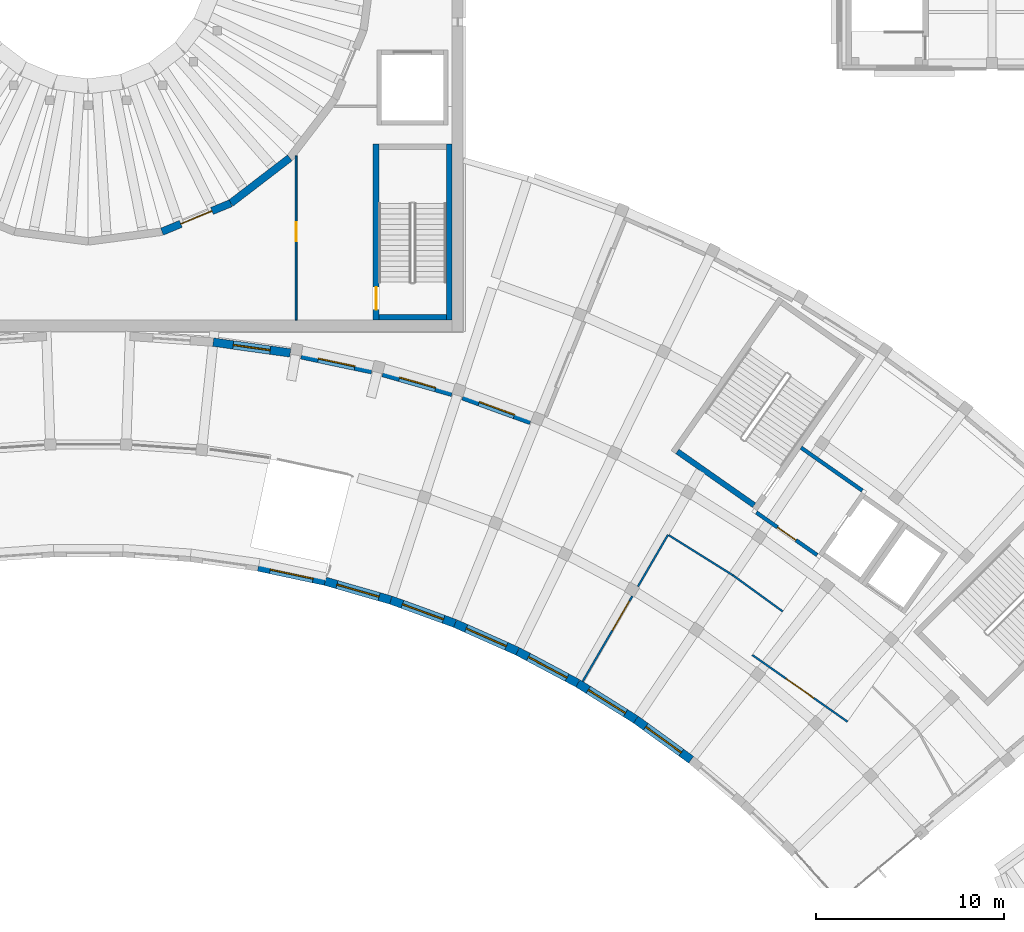
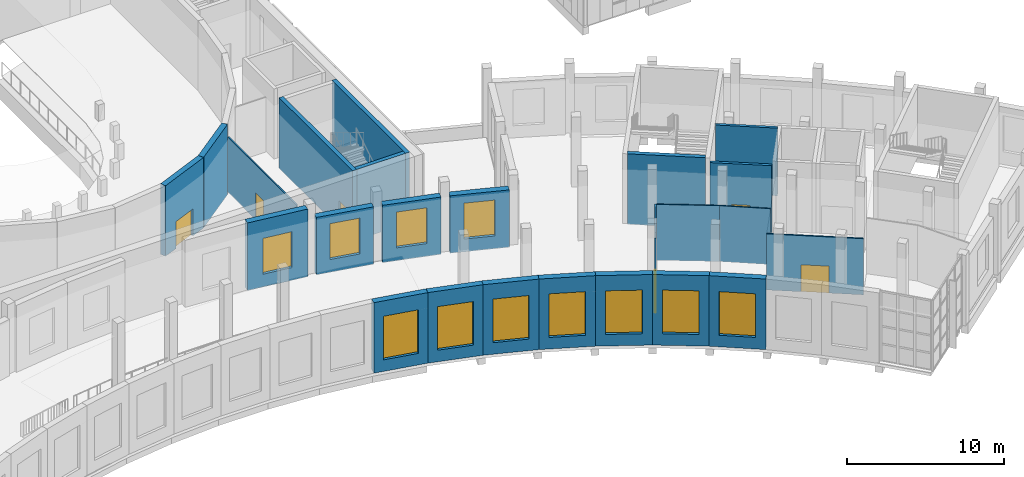
# One storey, part 71 of 132: 25 walls, 11 windows, 6 doors, 17 openings.
"""IFC4 building model written with IfcOpenShell, lengths in metres."""

from ifc_helpers import new_model, si_unit, direction, frame, frame_2d, origin, place, context, subcontext, project, spatial, rectangle, extrude, material, layer, layer_set, type_object, element, fill, save


model = new_model("IFC4")

# Units and contexts
model_context = context("Model", 3, precision=1e-05, world=origin(), true_north=direction((0.0, 1.0)))
body_context = subcontext(model_context, "Body", "Model", "MODEL_VIEW")
ifc_project = project(units=[si_unit("LENGTHUNIT", "METRE"), si_unit("AREAUNIT", "SQUARE_METRE"), si_unit("VOLUMEUNIT", "CUBIC_METRE"), si_unit("PLANEANGLEUNIT", "RADIAN"), si_unit("MASSUNIT", "GRAM", prefix="KILO")], contexts=[model_context])

# Site, building, storey
site_placement = place(None, origin())
site = spatial("IfcSite", under=ifc_project, at=site_placement, CompositionType="ELEMENT")
building_placement = place(site_placement, origin())
building = spatial("IfcBuilding", under=site, at=building_placement, Name="Lunette Opera House", CompositionType="ELEMENT")
storey_placement = place(building_placement, frame((0.0, 0.0, 17.0)))
storey = spatial("IfcBuildingStorey", under=building, at=storey_placement, Name="L03", CompositionType="ELEMENT", Elevation=17.0)

# Wall, opening, window
ifc_material_1 = material(Name="Clinker brick", Category="masonry")
ifc_layer_1 = layer(ifc_material_1, 0.449951171875)
ifc_layer_set_1 = layer_set([ifc_layer_1], Name="Clinker brick")
wall_type_1 = type_object("IfcWallType", Name="ARM REAR WALL 450", PredefinedType="SOLIDWALL", material=ifc_layer_set_1)
wall_1_placement = place(storey_placement, frame((119.60595703125, 59.235107421875, 0.0), z_axis=(0.0, 0.0, 1.0), x_axis=(-0.939678490681, 0.342058962975, 0.0)))
wall_1 = element("IfcWall", 1, at=wall_1_placement, inside=storey, type_object=wall_type_1, Name="Arm Rear Wall 450 F06 L03", PredefinedType="SOLIDWALL", context=body_context, shape_type="SweptSolid", body=[
    extrude(rectangle(XDim=3.84716796875, YDim=0.449951171875, at=frame_2d((1.923583984375, 0.0))), origin(), (0.0, 0.0, 1.0), 4.47998046875),
])
opening_1_placement = place(wall_1_placement, frame((0.924072265625, 0.0, 1.0)))
opening_1 = element("IfcOpeningElement", 2, at=opening_1_placement, cuts=wall_1, Name="Opening FC-N2182", PredefinedType="OPENING", context=body_context, shape_type="SweptSolid", body=[
    extrude(rectangle(XDim=2.0, YDim=2.800048828125, at=frame_2d((1.0, 1.39990234375))), frame((0.0, 0.237060546875, 0.0), z_axis=(0.0, -1.0, 0.0), x_axis=(1.0, 0.0, 0.0)), (0.0, 0.0, 1.0), 0.473876953125),
])
ifc_material_2 = material(Name="Aluminium", Category="aluminium")
window_type_1 = type_object("IfcWindowType", Name="ARM WINDOW 2000 X 2800", PartitioningType="DOUBLE_PANEL_VERTICAL", PredefinedType="WINDOW", material=ifc_material_2)
window_1_placement = place(opening_1_placement, origin())
window_1 = element("IfcWindow", 3, at=window_1_placement, inside=storey, type_object=window_type_1, Name="Arm Window 2000 X 2800 F06 L03", OverallHeight=2.800048828125, OverallWidth=2.0, PartitioningType="DOUBLE_PANEL_VERTICAL", PredefinedType="WINDOW", context=body_context, shape_type="SweptSolid", body=[
    extrude(rectangle(XDim=2.0, YDim=2.800048828125, at=frame_2d((1.0, 1.39990234375))), frame((0.0, 0.030029296875, 0.0), z_axis=(0.0, -1.0, 0.0), x_axis=(1.0, 0.0, 0.0)), (0.0, 0.0, 1.0), 0.06005859375),
])
fill(opening_1, window_1)

wall_2_placement = place(storey_placement, frame((115.4169921875, 60.737060546875, 0.0), z_axis=(0.0, 0.0, 1.0), x_axis=(-0.961197514665, 0.275861084246, 0.0)))
wall_2 = element("IfcWall", 4, at=wall_2_placement, inside=storey, type_object=wall_type_1, Name="Arm Rear Wall 450 F07 L03", PredefinedType="SOLIDWALL", context=body_context, shape_type="SweptSolid", body=[
    extrude(rectangle(XDim=3.84619140625, YDim=0.449951171875, at=frame_2d((1.923095703125, 0.0))), origin(), (0.0, 0.0, 1.0), 4.47998046875),
])
opening_2_placement = place(wall_2_placement, frame((0.923095703125, 0.0, 1.0)))
opening_2 = element("IfcOpeningElement", 5, at=opening_2_placement, cuts=wall_2, Name="Opening FC-N2183", PredefinedType="OPENING", context=body_context, shape_type="SweptSolid", body=[
    extrude(rectangle(XDim=2.0, YDim=2.800048828125, at=frame_2d((1.0, 1.39990234375))), frame((0.0, 0.237060546875, 0.0), z_axis=(0.0, -1.0, 0.0), x_axis=(1.0, 0.0, 0.0)), (0.0, 0.0, 1.0), 0.473876953125),
])
window_2_placement = place(opening_2_placement, origin())
window_2 = element("IfcWindow", 6, at=window_2_placement, inside=storey, type_object=window_type_1, Name="Arm Window 2000 X 2800 F07 L03", OverallHeight=2.800048828125, OverallWidth=2.0, PartitioningType="DOUBLE_PANEL_VERTICAL", PredefinedType="WINDOW", context=body_context, shape_type="SweptSolid", body=[
    extrude(rectangle(XDim=2.0, YDim=2.800048828125, at=frame_2d((1.0, 1.39990234375))), frame((0.0, 0.030029296875, 0.0), z_axis=(0.0, -1.0, 0.0), x_axis=(1.0, 0.0, 0.0)), (0.0, 0.0, 1.0), 0.06005859375),
])
fill(opening_2, window_2)

wall_3_placement = place(storey_placement, frame((111.133056640625, 61.944091796875, 0.0), z_axis=(0.0, 0.0, 1.0), x_axis=(-0.978200929598, 0.207660639826, 0.0)))
wall_3 = element("IfcWall", 7, at=wall_3_placement, inside=storey, type_object=wall_type_1, Name="Arm Rear Wall 450 F08 L03", PredefinedType="SOLIDWALL", context=body_context, shape_type="SweptSolid", body=[
    extrude(rectangle(XDim=3.8466796875, YDim=0.449951171875, at=frame_2d((1.92333984375, 0.0))), origin(), (0.0, 0.0, 1.0), 4.47998046875),
])
opening_3_placement = place(wall_3_placement, frame((0.924072265625, 0.0, 1.0)))
opening_3 = element("IfcOpeningElement", 8, at=opening_3_placement, cuts=wall_3, Name="Opening FC-N2184", PredefinedType="OPENING", context=body_context, shape_type="SweptSolid", body=[
    extrude(rectangle(XDim=2.0, YDim=2.800048828125, at=frame_2d((1.0, 1.39990234375))), frame((0.0, 0.237060546875, 0.0), z_axis=(0.0, -1.0, 0.0), x_axis=(1.0, 0.0, 0.0)), (0.0, 0.0, 1.0), 0.473876953125),
])
window_3_placement = place(opening_3_placement, origin())
window_3 = element("IfcWindow", 9, at=window_3_placement, inside=storey, type_object=window_type_1, Name="Arm Window 2000 X 2800 F08 L03", OverallHeight=2.800048828125, OverallWidth=2.0, PartitioningType="DOUBLE_PANEL_VERTICAL", PredefinedType="WINDOW", context=body_context, shape_type="SweptSolid", body=[
    extrude(rectangle(XDim=2.0, YDim=2.800048828125, at=frame_2d((1.0, 1.39990234375))), frame((0.0, 0.030029296875, 0.0), z_axis=(0.0, -1.0, 0.0), x_axis=(1.0, 0.0, 0.0)), (0.0, 0.0, 1.0), 0.06005859375),
])
fill(opening_3, window_3)

wall_4_placement = place(storey_placement, frame((106.77392578125, 62.847900390625, 0.0), z_axis=(0.0, 0.0, 1.0), x_axis=(-0.990274070761, 0.13913038769, 0.0)))
wall_4 = element("IfcWall", 10, at=wall_4_placement, inside=storey, type_object=wall_type_1, Name="Arm Rear Wall 450 F09 L03", PredefinedType="SOLIDWALL", context=body_context, shape_type="SweptSolid", body=[
    extrude(rectangle(XDim=4.148193359375, YDim=0.449951171875, at=frame_2d((2.07421875, 0.0))), origin(), (0.0, 0.0, 1.0), 5.280029296875),
])
opening_4_placement = place(wall_4_placement, frame((1.073974609375, 0.0, 1.0)))
opening_4 = element("IfcOpeningElement", 11, at=opening_4_placement, cuts=wall_4, Name="Opening FC-N2185", PredefinedType="OPENING", context=body_context, shape_type="SweptSolid", body=[
    extrude(rectangle(XDim=2.0, YDim=2.800048828125, at=frame_2d((1.0, 1.39990234375))), frame((0.0, 0.237060546875, 0.0), z_axis=(0.0, -1.0, 0.0), x_axis=(1.0, 0.0, 0.0)), (0.0, 0.0, 1.0), 0.473876953125),
])
window_4_placement = place(opening_4_placement, origin())
window_4 = element("IfcWindow", 12, at=window_4_placement, inside=storey, type_object=window_type_1, Name="Arm Window 2000 X 2800 F09 L03", OverallHeight=2.800048828125, OverallWidth=2.0, PartitioningType="DOUBLE_PANEL_VERTICAL", PredefinedType="WINDOW", context=body_context, shape_type="SweptSolid", body=[
    extrude(rectangle(XDim=2.0, YDim=2.800048828125, at=frame_2d((1.0, 1.39990234375))), frame((0.0, 0.030029296875, 0.0), z_axis=(0.0, -1.0, 0.0), x_axis=(1.0, 0.0, 0.0)), (0.0, 0.0, 1.0), 0.06005859375),
])
fill(opening_4, window_4)

ifc_material_3 = material(Name="Clinker brick", Category="masonry")
ifc_layer_2 = layer(ifc_material_3, 0.449951171875)
ifc_layer_set_2 = layer_set([ifc_layer_2], Name="Clinker brick")
wall_type_2 = type_object("IfcWallType", Name="CRESCENT BRICK WALL 450", PredefinedType="SOLIDWALL", material=ifc_layer_set_2)
wall_5_placement = place(storey_placement, frame((105.069091796875, 51.431884765625, 0.0), z_axis=(0.0, 0.0, 1.0), x_axis=(0.97814420729, -0.207927655077, 0.0)))
wall_5 = element("IfcWall", 13, at=wall_5_placement, inside=storey, type_object=wall_type_2, Name="Crescent Brick Wall 450 BW-A15 L03", PredefinedType="SOLIDWALL", context=body_context, shape_type="SweptSolid", body=[
    extrude(rectangle(XDim=3.64453125, YDim=0.449951171875, at=frame_2d((1.822265625, 0.0))), origin(), (0.0, 0.0, 1.0), 5.5),
])
opening_5_placement = place(wall_5_placement, frame((0.653076171875, 0.0, 0.89990234375)))
opening_5 = element("IfcOpeningElement", 14, at=opening_5_placement, cuts=wall_5, Name="Opening FC-N2044", PredefinedType="OPENING", context=body_context, shape_type="SweptSolid", body=[
    extrude(rectangle(XDim=2.340087890625, YDim=3.39990234375, at=frame_2d((1.169921875, 1.699951171875))), frame((0.0, 0.237060546875, 0.0), z_axis=(0.0, -1.0, 0.0), x_axis=(1.0, 0.0, 0.0)), (0.0, 0.0, 1.0), 0.473876953125),
])
ifc_material_4 = material(Name="Aluminium", Category="aluminium")
window_type_2 = type_object("IfcWindowType", Name="CHICAGO WINDOW 2340 X 3400", PartitioningType="TRIPLE_PANEL_VERTICAL", PredefinedType="WINDOW", material=ifc_material_4)
window_5_placement = place(opening_5_placement, origin())
window_5 = element("IfcWindow", 15, at=window_5_placement, inside=storey, type_object=window_type_2, Name="Chicago Window 2340 X 3400 BW-A15 L03", OverallHeight=3.39990234375, OverallWidth=2.340087890625, PartitioningType="TRIPLE_PANEL_VERTICAL", PredefinedType="WINDOW", context=body_context, shape_type="SweptSolid", body=[
    extrude(rectangle(XDim=2.340087890625, YDim=3.39990234375, at=frame_2d((1.169921875, 1.699951171875))), frame((0.0, 0.030029296875, 0.0), z_axis=(0.0, -1.0, 0.0), x_axis=(1.0, 0.0, 0.0)), (0.0, 0.0, 1.0), 0.06005859375),
])
fill(opening_5, window_5)

wall_6_placement = place(storey_placement, frame((108.634033203125, 50.674072265625, 0.0), z_axis=(0.0, 0.0, 1.0), x_axis=(0.961232761004, -0.275738243942, 0.0)))
wall_6 = element("IfcWall", 16, at=wall_6_placement, inside=storey, type_object=wall_type_2, Name="Crescent Brick Wall 450 BW-A16 L03", PredefinedType="SOLIDWALL", context=body_context, shape_type="SweptSolid", body=[
    extrude(rectangle(XDim=3.645263671875, YDim=0.449951171875, at=frame_2d((1.82275390625, 0.0))), origin(), (0.0, 0.0, 1.0), 5.5),
])
opening_6_placement = place(wall_6_placement, frame((0.653076171875, 0.0, 0.89990234375)))
opening_6 = element("IfcOpeningElement", 17, at=opening_6_placement, cuts=wall_6, Name="Opening FC-N2047", PredefinedType="OPENING", context=body_context, shape_type="SweptSolid", body=[
    extrude(rectangle(XDim=2.340087890625, YDim=3.39990234375, at=frame_2d((1.169921875, 1.699951171875))), frame((0.0, 0.237060546875, 0.0), z_axis=(0.0, -1.0, 0.0), x_axis=(1.0, 0.0, 0.0)), (0.0, 0.0, 1.0), 0.473876953125),
])
window_6_placement = place(opening_6_placement, origin())
window_6 = element("IfcWindow", 18, at=window_6_placement, inside=storey, type_object=window_type_2, Name="Chicago Window 2340 X 3400 BW-A16 L03", OverallHeight=3.39990234375, OverallWidth=2.340087890625, PartitioningType="TRIPLE_PANEL_VERTICAL", PredefinedType="WINDOW", context=body_context, shape_type="SweptSolid", body=[
    extrude(rectangle(XDim=2.340087890625, YDim=3.39990234375, at=frame_2d((1.169921875, 1.699951171875))), frame((0.0, 0.030029296875, 0.0), z_axis=(0.0, -1.0, 0.0), x_axis=(1.0, 0.0, 0.0)), (0.0, 0.0, 1.0), 0.06005859375),
])
fill(opening_6, window_6)

wall_7_placement = place(storey_placement, frame((112.137939453125, 49.6689453125, 0.0), z_axis=(0.0, 0.0, 1.0), x_axis=(0.939705410483, -0.341985001877, 0.0)))
wall_7 = element("IfcWall", 19, at=wall_7_placement, inside=storey, type_object=wall_type_2, Name="Crescent Brick Wall 450 BW-A17 L03", PredefinedType="SOLIDWALL", context=body_context, shape_type="SweptSolid", body=[
    extrude(rectangle(XDim=3.645751953125, YDim=0.449951171875, at=frame_2d((1.82275390625, 0.0))), origin(), (0.0, 0.0, 1.0), 5.5),
])
opening_7_placement = place(wall_7_placement, frame((0.653076171875, 0.0, 0.89990234375)))
opening_7 = element("IfcOpeningElement", 20, at=opening_7_placement, cuts=wall_7, Name="Opening FC-N2050", PredefinedType="OPENING", context=body_context, shape_type="SweptSolid", body=[
    extrude(rectangle(XDim=2.340087890625, YDim=3.39990234375, at=frame_2d((1.169921875, 1.699951171875))), frame((0.0, 0.237060546875, 0.0), z_axis=(0.0, -1.0, 0.0), x_axis=(1.0, 0.0, 0.0)), (0.0, 0.0, 1.0), 0.473876953125),
])
window_7_placement = place(opening_7_placement, origin())
window_7 = element("IfcWindow", 21, at=window_7_placement, inside=storey, type_object=window_type_2, Name="Chicago Window 2340 X 3400 BW-A17 L03", OverallHeight=3.39990234375, OverallWidth=2.340087890625, PartitioningType="TRIPLE_PANEL_VERTICAL", PredefinedType="WINDOW", context=body_context, shape_type="SweptSolid", body=[
    extrude(rectangle(XDim=2.340087890625, YDim=3.39990234375, at=frame_2d((1.169921875, 1.699951171875))), frame((0.0, 0.030029296875, 0.0), z_axis=(0.0, -1.0, 0.0), x_axis=(1.0, 0.0, 0.0)), (0.0, 0.0, 1.0), 0.06005859375),
])
fill(opening_7, window_7)

wall_8_placement = place(storey_placement, frame((115.56396484375, 48.422119140625, 0.0), z_axis=(0.0, 0.0, 1.0), x_axis=(0.913593217191, -0.40662935642, 0.0)))
wall_8 = element("IfcWall", 22, at=wall_8_placement, inside=storey, type_object=wall_type_2, Name="Crescent Brick Wall 450 BW-A18 L03", PredefinedType="SOLIDWALL", context=body_context, shape_type="SweptSolid", body=[
    extrude(rectangle(XDim=3.64501953125, YDim=0.449951171875, at=frame_2d((1.822509765625, 0.0))), origin(), (0.0, 0.0, 1.0), 5.5),
])
opening_8_placement = place(wall_8_placement, frame((0.653076171875, 0.0, 0.89990234375)))
opening_8 = element("IfcOpeningElement", 23, at=opening_8_placement, cuts=wall_8, Name="Opening FC-N2053", PredefinedType="OPENING", context=body_context, shape_type="SweptSolid", body=[
    extrude(rectangle(XDim=2.340087890625, YDim=3.39990234375, at=frame_2d((1.169921875, 1.699951171875))), frame((0.0, 0.237060546875, 0.0), z_axis=(0.0, -1.0, 0.0), x_axis=(1.0, 0.0, 0.0)), (0.0, 0.0, 1.0), 0.473876953125),
])
window_8_placement = place(opening_8_placement, origin())
window_8 = element("IfcWindow", 24, at=window_8_placement, inside=storey, type_object=window_type_2, Name="Chicago Window 2340 X 3400 BW-A18 L03", OverallHeight=3.39990234375, OverallWidth=2.340087890625, PartitioningType="TRIPLE_PANEL_VERTICAL", PredefinedType="WINDOW", context=body_context, shape_type="SweptSolid", body=[
    extrude(rectangle(XDim=2.340087890625, YDim=3.39990234375, at=frame_2d((1.169921875, 1.699951171875))), frame((0.0, 0.030029296875, 0.0), z_axis=(0.0, -1.0, 0.0), x_axis=(1.0, 0.0, 0.0)), (0.0, 0.0, 1.0), 0.06005859375),
])
fill(opening_8, window_8)

wall_9_placement = place(storey_placement, frame((118.89404296875, 46.93994140625, 0.0), z_axis=(0.0, 0.0, 1.0), x_axis=(0.882849344925, -0.469656293651, 0.0)))
wall_9 = element("IfcWall", 25, at=wall_9_placement, inside=storey, type_object=wall_type_2, Name="Crescent Brick Wall 450 BW-A19 L03", PredefinedType="SOLIDWALL", context=body_context, shape_type="SweptSolid", body=[
    extrude(rectangle(XDim=3.64501953125, YDim=0.449951171875, at=frame_2d((1.822509765625, 0.0))), origin(), (0.0, 0.0, 1.0), 5.5),
])
opening_9_placement = place(wall_9_placement, frame((0.653076171875, 0.0, 0.89990234375)))
opening_9 = element("IfcOpeningElement", 26, at=opening_9_placement, cuts=wall_9, Name="Opening FC-N2056", PredefinedType="OPENING", context=body_context, shape_type="SweptSolid", body=[
    extrude(rectangle(XDim=2.340087890625, YDim=3.39990234375, at=frame_2d((1.169921875, 1.699951171875))), frame((0.0, 0.237060546875, 0.0), z_axis=(0.0, -1.0, 0.0), x_axis=(1.0, 0.0, 0.0)), (0.0, 0.0, 1.0), 0.473876953125),
])
window_9_placement = place(opening_9_placement, origin())
window_9 = element("IfcWindow", 27, at=window_9_placement, inside=storey, type_object=window_type_2, Name="Chicago Window 2340 X 3400 BW-A19 L03", OverallHeight=3.39990234375, OverallWidth=2.340087890625, PartitioningType="TRIPLE_PANEL_VERTICAL", PredefinedType="WINDOW", context=body_context, shape_type="SweptSolid", body=[
    extrude(rectangle(XDim=2.340087890625, YDim=3.39990234375, at=frame_2d((1.169921875, 1.699951171875))), frame((0.0, 0.030029296875, 0.0), z_axis=(0.0, -1.0, 0.0), x_axis=(1.0, 0.0, 0.0)), (0.0, 0.0, 1.0), 0.06005859375),
])
fill(opening_9, window_9)

wall_10_placement = place(storey_placement, frame((122.112060546875, 45.22802734375, 0.0), z_axis=(0.0, 0.0, 1.0), x_axis=(0.848047203697, -0.529920692464, 0.0)))
wall_10 = element("IfcWall", 28, at=wall_10_placement, inside=storey, type_object=wall_type_2, Name="Crescent Brick Wall 450 BW-A20 L03", PredefinedType="SOLIDWALL", context=body_context, shape_type="SweptSolid", body=[
    extrude(rectangle(XDim=3.64599609375, YDim=0.449951171875, at=frame_2d((1.822998046875, 0.0))), origin(), (0.0, 0.0, 1.0), 5.5),
])
opening_10_placement = place(wall_10_placement, frame((0.653076171875, 0.0, 0.89990234375)))
opening_10 = element("IfcOpeningElement", 29, at=opening_10_placement, cuts=wall_10, Name="Opening FC-N2059", PredefinedType="OPENING", context=body_context, shape_type="SweptSolid", body=[
    extrude(rectangle(XDim=2.340087890625, YDim=3.39990234375, at=frame_2d((1.169921875, 1.699951171875))), frame((0.0, 0.237060546875, 0.0), z_axis=(0.0, -1.0, 0.0), x_axis=(1.0, 0.0, 0.0)), (0.0, 0.0, 1.0), 0.473876953125),
])
window_10_placement = place(opening_10_placement, origin())
window_10 = element("IfcWindow", 30, at=window_10_placement, inside=storey, type_object=window_type_2, Name="Chicago Window 2340 X 3400 BW-A20 L03", OverallHeight=3.39990234375, OverallWidth=2.340087890625, PartitioningType="TRIPLE_PANEL_VERTICAL", PredefinedType="WINDOW", context=body_context, shape_type="SweptSolid", body=[
    extrude(rectangle(XDim=2.340087890625, YDim=3.39990234375, at=frame_2d((1.169921875, 1.699951171875))), frame((0.0, 0.030029296875, 0.0), z_axis=(0.0, -1.0, 0.0), x_axis=(1.0, 0.0, 0.0)), (0.0, 0.0, 1.0), 0.06005859375),
])
fill(opening_10, window_10)

wall_11_placement = place(storey_placement, frame((125.2041015625, 43.2958984375, 0.0), z_axis=(0.0, 0.0, 1.0), x_axis=(0.809109587744, -0.58765778734, 0.0)))
wall_11 = element("IfcWall", 31, at=wall_11_placement, inside=storey, type_object=wall_type_2, Name="Crescent Brick Wall 450 BW-A21 L03", PredefinedType="SOLIDWALL", context=body_context, shape_type="SweptSolid", body=[
    extrude(rectangle(XDim=3.644775390625, YDim=0.449951171875, at=frame_2d((1.822265625, 0.0))), origin(), (0.0, 0.0, 1.0), 5.5),
])
opening_11_placement = place(wall_11_placement, frame((0.653076171875, 0.0, 0.89990234375)))
opening_11 = element("IfcOpeningElement", 32, at=opening_11_placement, cuts=wall_11, Name="Opening FC-N2062", PredefinedType="OPENING", context=body_context, shape_type="SweptSolid", body=[
    extrude(rectangle(XDim=2.340087890625, YDim=3.39990234375, at=frame_2d((1.169921875, 1.699951171875))), frame((0.0, 0.237060546875, 0.0), z_axis=(0.0, -1.0, 0.0), x_axis=(1.0, 0.0, 0.0)), (0.0, 0.0, 1.0), 0.473876953125),
])
window_11_placement = place(opening_11_placement, origin())
window_11 = element("IfcWindow", 33, at=window_11_placement, inside=storey, type_object=window_type_2, Name="Chicago Window 2340 X 3400 BW-A21 L03", OverallHeight=3.39990234375, OverallWidth=2.340087890625, PartitioningType="TRIPLE_PANEL_VERTICAL", PredefinedType="WINDOW", context=body_context, shape_type="SweptSolid", body=[
    extrude(rectangle(XDim=2.340087890625, YDim=3.39990234375, at=frame_2d((1.169921875, 1.699951171875))), frame((0.0, 0.030029296875, 0.0), z_axis=(0.0, -1.0, 0.0), x_axis=(1.0, 0.0, 0.0)), (0.0, 0.0, 1.0), 0.06005859375),
])
fill(opening_11, window_11)

# Wall, opening, door
ifc_material_5 = material(Name="Concrete C35/45", Category="concrete")
ifc_layer_3 = layer(ifc_material_5, 0.199951171875)
ifc_layer_set_3 = layer_set([ifc_layer_3], Name="Concrete C35/45")
wall_type_3 = type_object("IfcWallType", Name="LOBBY WALL 200", PredefinedType="PARTITIONING", material=ifc_layer_set_3)
wall_12_placement = place(storey_placement, frame((131.632080078125, 54.340087890625, 0.0), z_axis=(0.0, 0.0, 1.0), x_axis=(0.81911891796, -0.573623742744, 0.0)))
wall_12 = element("IfcWall", 34, at=wall_12_placement, inside=storey, type_object=wall_type_3, Name="FL1 lobby wall 1a", PredefinedType="PARTITIONING", context=body_context, shape_type="SweptSolid", body=[
    extrude(rectangle(XDim=3.958984375, YDim=0.199951171875, at=frame_2d((1.9794921875, 0.0))), origin(), (0.0, 0.0, 1.0), 5.280029296875),
])
opening_12_placement = place(wall_12_placement, frame((1.3798828125, 0.0, 0.0)))
opening_12 = element("IfcOpeningElement", 35, at=opening_12_placement, cuts=wall_12, Name="Opening FC-D7041", PredefinedType="OPENING", context=body_context, shape_type="SweptSolid", body=[
    extrude(rectangle(XDim=1.199951171875, YDim=2.10009765625, at=frame_2d((0.60009765625, 1.050048828125))), frame((0.0, 0.112060546875, 0.0), z_axis=(0.0, -1.0, 0.0), x_axis=(1.0, 0.0, 0.0)), (0.0, 0.0, 1.0), 0.223876953125),
])
ifc_material_6 = material(Name="Steel", Category="steel")
door_type_1 = type_object("IfcDoorType", Name="FIRE DOOR 1200 X 2100", OperationType="SINGLE_SWING_LEFT", PredefinedType="DOOR", material=ifc_material_6)
door_1_placement = place(opening_12_placement, origin())
door_1 = element("IfcDoor", 36, at=door_1_placement, inside=storey, type_object=door_type_1, Name="FL1 lobby door", OperationType="SINGLE_SWING_LEFT", OverallHeight=2.10009765625, OverallWidth=1.199951171875, PredefinedType="DOOR", context=body_context, shape_type="SweptSolid", body=[
    extrude(rectangle(XDim=1.199951171875, YDim=2.10009765625, at=frame_2d((0.60009765625, 1.050048828125))), frame((0.0, 0.02490234375, 0.0), z_axis=(0.0, -1.0, 0.0), x_axis=(1.0, 0.0, 0.0)), (0.0, 0.0, 1.0), 0.050048828125),
])
fill(opening_12, door_1)

# Walls
wall_13_placement = place(storey_placement, frame((137.284912109375, 55.508056640625, 0.0), z_axis=(0.0, 0.0, 1.0), x_axis=(-0.819125561737, 0.573614255497, 0.0)))
element("IfcWall", 37, at=wall_13_placement, inside=storey, type_object=wall_type_3, Name="FL1 lobby wall 3a", PredefinedType="PARTITIONING", context=body_context, shape_type="SweptSolid", body=[
    extrude(rectangle(XDim=3.990478515625, YDim=0.199951171875, at=frame_2d((1.9951171875, 0.0))), origin(), (0.0, 0.0, 1.0), 5.280029296875),
])
ifc_material_7 = material(Name="Concrete C35/45", Category="concrete")
ifc_layer_4 = layer(ifc_material_7, 0.300048828125)
ifc_layer_set_4 = layer_set([ifc_layer_4], Name="Concrete C35/45")
wall_type_4 = type_object("IfcWallType", Name="RC STAIR ENCLOSURE WALL 300", PredefinedType="SOLIDWALL", material=ifc_layer_set_4)
wall_14_placement = place(storey_placement, frame((127.41796875, 57.595947265625, 0.0), z_axis=(0.0, 0.0, 1.0), x_axis=(0.819096538389, -0.573655698829, 0.0)))
element("IfcWall", 38, at=wall_14_placement, inside=storey, type_object=wall_type_4, Name="ST3 enclosure wall 1", PredefinedType="SOLIDWALL", context=body_context, shape_type="SweptSolid", body=[
    extrude(rectangle(XDim=4.999267578125, YDim=0.300048828125, at=frame_2d((2.49951171875, 0.0))), origin(), (0.0, 0.0, 1.0), 5.5),
])
wall_15_placement = place(storey_placement, frame((115.25, 64.60009765625, 0.0), z_axis=(0.0, 0.0, 1.0), x_axis=(0.0, 1.0, 0.0)))
element("IfcWall", 39, at=wall_15_placement, inside=storey, type_object=wall_type_4, Name="ST8 enclosure wall 1", PredefinedType="SOLIDWALL", context=body_context, shape_type="SweptSolid", body=[
    extrude(rectangle(XDim=9.39990234375, YDim=0.300048828125, at=frame_2d((4.699951171875, 0.0))), origin(), (0.0, 0.0, 1.0), 5.5),
])

# Wall, opening, door
wall_16_placement = place(storey_placement, frame((111.35009765625, 74.0, 0.0), z_axis=(0.0, 0.0, 1.0), x_axis=(0.0, -1.0, 0.0)))
wall_16 = element("IfcWall", 40, at=wall_16_placement, inside=storey, type_object=wall_type_4, Name="ST8 enclosure wall 3", PredefinedType="SOLIDWALL", context=body_context, shape_type="SweptSolid", body=[
    extrude(rectangle(XDim=9.39990234375, YDim=0.300048828125, at=frame_2d((4.699951171875, 0.0))), origin(), (0.0, 0.0, 1.0), 5.5),
])
opening_13_placement = place(wall_16_placement, frame((7.639892578125, 0.0, 0.0)))
opening_13 = element("IfcOpeningElement", 41, at=opening_13_placement, cuts=wall_16, Name="Opening AU-D7017", PredefinedType="OPENING", context=body_context, shape_type="SweptSolid", body=[
    extrude(rectangle(XDim=1.199951171875, YDim=2.10009765625, at=frame_2d((0.60009765625, 1.050048828125))), frame((0.0, 0.162109375, 0.0), z_axis=(0.0, -1.0, 0.0), x_axis=(1.0, 0.0, 0.0)), (0.0, 0.0, 1.0), 0.323974609375),
])
door_2_placement = place(opening_13_placement, origin())
door_2 = element("IfcDoor", 42, at=door_2_placement, inside=storey, type_object=door_type_1, Name="ST8 stair door", OperationType="SINGLE_SWING_LEFT", OverallHeight=2.10009765625, OverallWidth=1.199951171875, PredefinedType="DOOR", context=body_context, shape_type="SweptSolid", body=[
    extrude(rectangle(XDim=1.199951171875, YDim=2.10009765625, at=frame_2d((0.60009765625, 1.050048828125))), frame((0.0, 0.02490234375, 0.0), z_axis=(0.0, -1.0, 0.0), x_axis=(1.0, 0.0, 0.0)), (0.0, 0.0, 1.0), 0.050048828125),
])
fill(opening_13, door_2)

# Wall
wall_17_placement = place(storey_placement, frame((111.5, 64.75, 0.0), z_axis=(0.0, 0.0, 1.0), x_axis=(1.0, 0.0, 0.0)))
element("IfcWall", 43, at=wall_17_placement, inside=storey, type_object=wall_type_4, Name="ST8 enclosure wall 4", PredefinedType="SOLIDWALL", context=body_context, shape_type="SweptSolid", body=[
    extrude(rectangle(XDim=3.60009765625, YDim=0.300048828125, at=frame_2d((1.800048828125, 0.0))), origin(), (0.0, 0.0, 1.0), 5.5),
])

# Wall, opening, door
ifc_material_8 = material(Name="Concrete C35/45", Category="concrete")
ifc_layer_5 = layer(ifc_material_8, 0.39990234375)
ifc_layer_set_5 = layer_set([ifc_layer_5], Name="Concrete C35/45")
wall_type_5 = type_object("IfcWallType", Name="RC WALL 400", PredefinedType="SHEAR", material=ifc_layer_set_5)
wall_18_placement = place(storey_placement, frame((99.93408203125, 69.31591796875, 0.0), z_axis=(0.0, 0.0, 1.0), x_axis=(0.923868391388, 0.38271032831, 0.0)))
wall_18 = element("IfcWall", 44, at=wall_18_placement, inside=storey, type_object=wall_type_5, Name="wall-AU-L03-HW09", PredefinedType="SHEAR", context=body_context, shape_type="SweptSolid", body=[
    extrude(rectangle(XDim=3.96923828125, YDim=0.39990234375, at=frame_2d((1.984619140625, 0.0))), origin(), (0.0, 0.0, 1.0), 5.5),
])
opening_14_placement = place(wall_18_placement, frame((1.0849609375, 0.0, 0.0)))
opening_14 = element("IfcOpeningElement", 45, at=opening_14_placement, cuts=wall_18, Name="Opening AU-D3012", PredefinedType="OPENING", context=body_context, shape_type="SweptSolid", body=[
    extrude(rectangle(XDim=1.800048828125, YDim=2.10009765625, at=frame_2d((0.89990234375, 1.050048828125))), frame((0.0, 0.2119140625, 0.0), z_axis=(0.0, -1.0, 0.0), x_axis=(1.0, 0.0, 0.0)), (0.0, 0.0, 1.0), 0.423828125),
])
ifc_material_9 = material(Name="Timber", Category="wood")
door_type_2 = type_object("IfcDoorType", Name="SOUND LOCK DOOR 1800 X 2100", OperationType="DOUBLE_DOOR_SINGLE_SWING", PredefinedType="DOOR", material=ifc_material_9)
door_3_placement = place(opening_14_placement, origin())
door_3 = element("IfcDoor", 46, at=door_3_placement, inside=storey, type_object=door_type_2, Name="Auditorium Second Tier door", OperationType="DOUBLE_DOOR_SINGLE_SWING", OverallHeight=2.10009765625, OverallWidth=1.800048828125, PredefinedType="DOOR", context=body_context, shape_type="SweptSolid", body=[
    extrude(rectangle(XDim=1.800048828125, YDim=2.10009765625, at=frame_2d((0.89990234375, 1.050048828125))), frame((0.0, 0.02490234375, 0.0), z_axis=(0.0, -1.0, 0.0), x_axis=(1.0, 0.0, 0.0)), (0.0, 0.0, 1.0), 0.050048828125),
])
fill(opening_14, door_3)

# Wall
wall_19_placement = place(storey_placement, frame((103.60107421875, 70.8349609375, 0.0), z_axis=(0.0, 0.0, 1.0), x_axis=(0.793501388766, 0.608568439888, 0.0)))
element("IfcWall", 47, at=wall_19_placement, inside=storey, type_object=wall_type_5, Name="wall-AU-L03-HW10", PredefinedType="SHEAR", context=body_context, shape_type="SweptSolid", body=[
    extrude(rectangle(XDim=3.968505859375, YDim=0.39990234375, at=frame_2d((1.984375, 0.0))), origin(), (0.0, 0.0, 1.0), 5.5),
])

# Wall, opening, door
ifc_material_10 = material(Name="Gypsum board on steel studs", Category="steel")
ifc_layer_6 = layer(ifc_material_10, 0.10009765625)
ifc_layer_set_6 = layer_set([ifc_layer_6], Name="Gypsum board on steel studs")
wall_type_6 = type_object("IfcWallType", Name="STUD PARTITION 100", PredefinedType="PARTITIONING", material=ifc_layer_set_6)
wall_20_placement = place(storey_placement, frame((122.37109375, 45.33203125, 0.0), z_axis=(0.0, 0.0, 1.0), x_axis=(0.502923239061, 0.86433107986, 0.0)))
wall_20 = element("IfcWall", 48, at=wall_20_placement, inside=storey, type_object=wall_type_6, Name="Partition Second Tier Foyer", PredefinedType="PARTITIONING", context=body_context, shape_type="SweptSolid", body=[
    extrude(rectangle(XDim=5.2548828125, YDim=0.10009765625, at=frame_2d((2.62744140625, 0.0))), origin(), (0.0, 0.0, 1.0), 4.35009765625),
])
opening_15_placement = place(wall_20_placement, frame((3.14892578125, 0.0, 0.0)))
opening_15 = element("IfcOpeningElement", 49, at=opening_15_placement, cuts=wall_20, Name="Opening FC-D3039", PredefinedType="OPENING", context=body_context, shape_type="SweptSolid", body=[
    extrude(rectangle(XDim=1.800048828125, YDim=2.10009765625, at=frame_2d((0.89990234375, 1.050048828125))), frame((0.0, 0.06201171875, 0.0), z_axis=(0.0, -1.0, 0.0), x_axis=(1.0, 0.0, 0.0)), (0.0, 0.0, 1.0), 0.1240234375),
])
ifc_material_11 = material(Name="Timber", Category="wood")
door_type_3 = type_object("IfcDoorType", Name="DOUBLE FLUSH DOOR 1800 X 2100", OperationType="DOUBLE_DOOR_SINGLE_SWING", PredefinedType="DOOR", material=ifc_material_11)
door_4_placement = place(opening_15_placement, origin())
door_4 = element("IfcDoor", 50, at=door_4_placement, inside=storey, type_object=door_type_3, Name="Second Tier Bar door", OperationType="DOUBLE_DOOR_SINGLE_SWING", OverallHeight=2.10009765625, OverallWidth=1.800048828125, PredefinedType="DOOR", context=body_context, shape_type="SweptSolid", body=[
    extrude(rectangle(XDim=1.800048828125, YDim=2.10009765625, at=frame_2d((0.89990234375, 1.050048828125))), frame((0.0, 0.02490234375, 0.0), z_axis=(0.0, -1.0, 0.0), x_axis=(1.0, 0.0, 0.0)), (0.0, 0.0, 1.0), 0.050048828125),
])
fill(opening_15, door_4)

# Wall
wall_21_placement = place(storey_placement, frame((125.31591796875, 50.39404296875, 0.0), z_axis=(0.0, 0.0, 1.0), x_axis=(0.502829160372, 0.86438581402, 0.0)))
element("IfcWall", 51, at=wall_21_placement, inside=storey, type_object=wall_type_6, Name="Partition Second Tier Foyer", PredefinedType="PARTITIONING", context=body_context, shape_type="SweptSolid", body=[
    extrude(rectangle(XDim=3.19189453125, YDim=0.10009765625, at=frame_2d((1.595947265625, 0.0))), origin(), (0.0, 0.0, 1.0), 4.35009765625),
])

# Wall, opening, door
wall_22_placement = place(storey_placement, frame((107.0849609375, 73.35693359375, 0.0), z_axis=(0.0, 0.0, 1.0), x_axis=(0.0, -1.0, 0.0)))
wall_22 = element("IfcWall", 52, at=wall_22_placement, inside=storey, type_object=wall_type_6, Name="Partition Followspot Gallery", PredefinedType="PARTITIONING", context=body_context, shape_type="SweptSolid", body=[
    extrude(rectangle(XDim=8.7568359375, YDim=0.10009765625, at=frame_2d((4.37841796875, 0.0))), origin(), (0.0, 0.0, 1.0), 4.300048828125),
])
opening_16_placement = place(wall_22_placement, frame((3.549072265625, 0.0, 0.0)))
opening_16 = element("IfcOpeningElement", 53, at=opening_16_placement, cuts=wall_22, Name="Opening AU-D3014", PredefinedType="OPENING", context=body_context, shape_type="SweptSolid", body=[
    extrude(rectangle(XDim=1.0, YDim=2.10009765625, at=frame_2d((0.5, 1.050048828125))), frame((0.0, 0.06201171875, 0.0), z_axis=(0.0, -1.0, 0.0), x_axis=(1.0, 0.0, 0.0)), (0.0, 0.0, 1.0), 0.1240234375),
])
ifc_material_12 = material(Name="Timber", Category="wood")
door_type_4 = type_object("IfcDoorType", Name="FLUSH DOOR 1000 X 2100", OperationType="SINGLE_SWING_LEFT", PredefinedType="DOOR", material=ifc_material_12)
door_5_placement = place(opening_16_placement, origin())
door_5 = element("IfcDoor", 54, at=door_5_placement, inside=storey, type_object=door_type_4, Name="Followspot Gallery door", OperationType="SINGLE_SWING_LEFT", OverallHeight=2.10009765625, OverallWidth=1.0, PredefinedType="DOOR", context=body_context, shape_type="SweptSolid", body=[
    extrude(rectangle(XDim=1.0, YDim=2.10009765625, at=frame_2d((0.5, 1.050048828125))), frame((0.0, 0.02490234375, 0.0), z_axis=(0.0, -1.0, 0.0), x_axis=(1.0, 0.0, 0.0)), (0.0, 0.0, 1.0), 0.050048828125),
])
fill(opening_16, door_5)

wall_23_placement = place(storey_placement, frame((131.4140625, 46.739990234375, 0.0), z_axis=(0.0, 0.0, 1.0), x_axis=(0.81912644488, -0.573612994359, 0.0)))
wall_23 = element("IfcWall", 55, at=wall_23_placement, inside=storey, type_object=wall_type_6, Name="Partition Open Lift Lobby L03 East", PredefinedType="PARTITIONING", context=body_context, shape_type="SweptSolid", body=[
    extrude(rectangle(XDim=6.19921875, YDim=0.10009765625, at=frame_2d((3.099609375, 0.0))), origin(), (0.0, 0.0, 1.0), 4.3798828125),
])
opening_17_placement = place(wall_23_placement, frame((2.199951171875, 0.0, 0.0)))
opening_17 = element("IfcOpeningElement", 56, at=opening_17_placement, cuts=wall_23, Name="Opening FC-D3040", PredefinedType="OPENING", context=body_context, shape_type="SweptSolid", body=[
    extrude(rectangle(XDim=1.800048828125, YDim=2.10009765625, at=frame_2d((0.89990234375, 1.050048828125))), frame((0.0, 0.06201171875, 0.0), z_axis=(0.0, -1.0, 0.0), x_axis=(1.0, 0.0, 0.0)), (0.0, 0.0, 1.0), 0.1240234375),
])
door_6_placement = place(opening_17_placement, origin())
door_6 = element("IfcDoor", 57, at=door_6_placement, inside=storey, type_object=door_type_3, Name="Second Tier Bar door", OperationType="DOUBLE_DOOR_SINGLE_SWING", OverallHeight=2.10009765625, OverallWidth=1.800048828125, PredefinedType="DOOR", context=body_context, shape_type="SweptSolid", body=[
    extrude(rectangle(XDim=1.800048828125, YDim=2.10009765625, at=frame_2d((0.89990234375, 1.050048828125))), frame((0.0, 0.02490234375, 0.0), z_axis=(0.0, -1.0, 0.0), x_axis=(1.0, 0.0, 0.0)), (0.0, 0.0, 1.0), 0.050048828125),
])
fill(opening_17, door_6)

# Walls
wall_24_placement = place(storey_placement, frame((126.964111328125, 53.1259765625, 0.0), z_axis=(0.0, 0.0, 1.0), x_axis=(0.848134102792, -0.529781599984, 0.0)))
element("IfcWall", 58, at=wall_24_placement, inside=storey, type_object=wall_type_6, Name="Partition Second Tier Foyer", PredefinedType="PARTITIONING", context=body_context, shape_type="SweptSolid", body=[
    extrude(rectangle(XDim=4.039306640625, YDim=0.10009765625, at=frame_2d((2.01953125, 0.0))), origin(), (0.0, 0.0, 1.0), 4.35009765625),
])
wall_25_placement = place(storey_placement, frame((130.389892578125, 50.986083984375, 0.0), z_axis=(0.0, 0.0, 1.0), x_axis=(0.808971364307, -0.587848051567, 0.0)))
element("IfcWall", 59, at=wall_25_placement, inside=storey, type_object=wall_type_6, Name="Partition Second Tier Foyer", PredefinedType="PARTITIONING", context=body_context, shape_type="SweptSolid", body=[
    extrude(rectangle(XDim=3.274658203125, YDim=0.10009765625, at=frame_2d((1.63720703125, 0.0))), origin(), (0.0, 0.0, 1.0), 4.35009765625),
])

save(model, "model.ifc")
